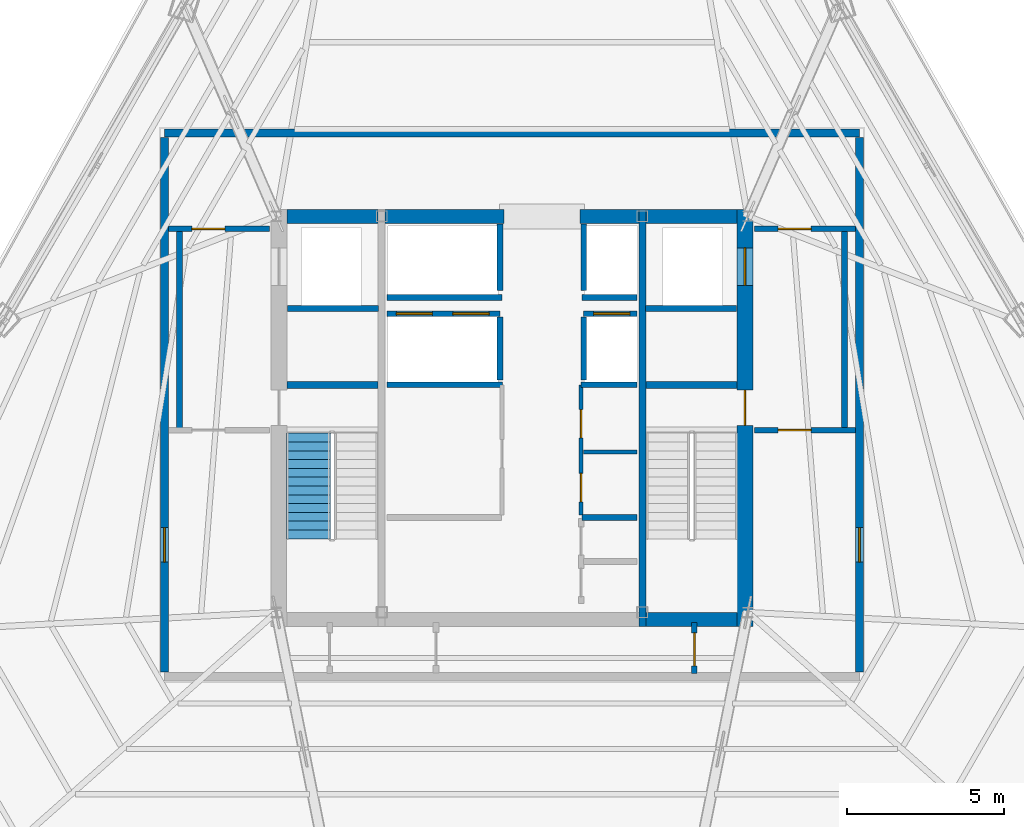
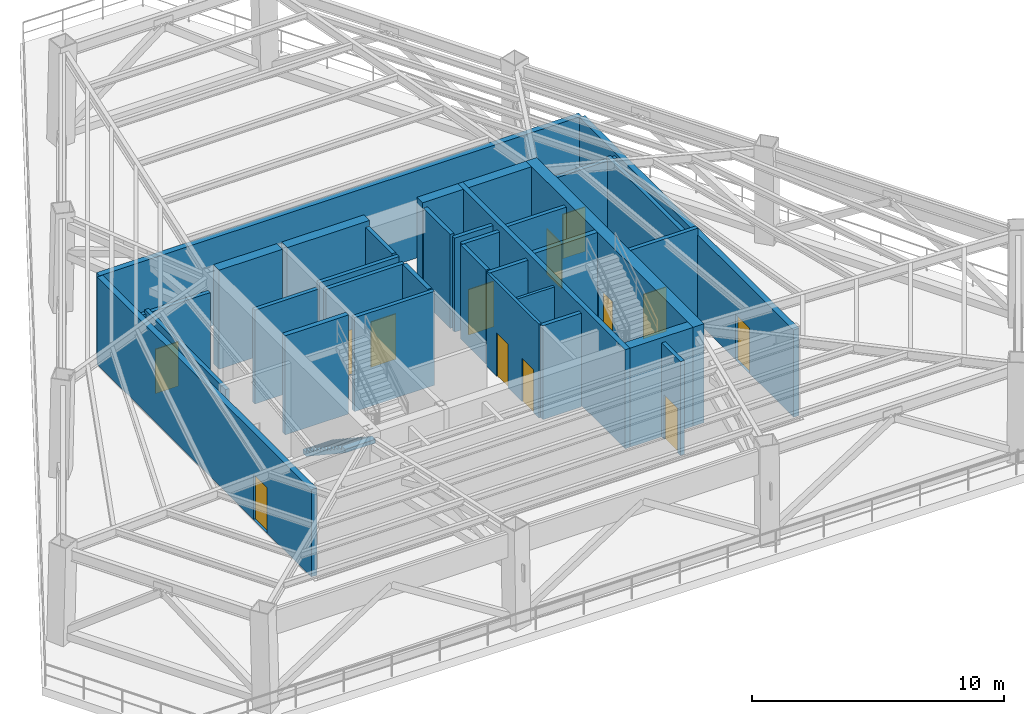
# One storey, part 6 of 10: 33 walls, 13 doors, 1 stair flight, 13 openings, 1 element without a shape of its own.
"""IFC4 building model written with IfcOpenShell, lengths in metres."""

from ifc_helpers import new_model, si_unit, direction, frame, frame_2d, origin, place, context, subcontext, project, spatial, polyline, rectangle, outline, extrude, material, layer, layer_set, type_object, element, fill, aggregate, save


model = new_model("IFC4")

# Units and contexts
model_context = context("Model", 3, precision=1e-05, world=origin(), true_north=direction((0.0, 1.0)))
body_context = subcontext(model_context, "Body", "Model", "MODEL_VIEW")
ifc_project = project(units=[si_unit("LENGTHUNIT", "METRE"), si_unit("AREAUNIT", "SQUARE_METRE"), si_unit("VOLUMEUNIT", "CUBIC_METRE"), si_unit("PLANEANGLEUNIT", "RADIAN"), si_unit("MASSUNIT", "GRAM", prefix="KILO")], contexts=[model_context])

# Site, building, storey
site_placement = place(None, origin())
site = spatial("IfcSite", under=ifc_project, at=site_placement, CompositionType="ELEMENT")
building_placement = place(site_placement, origin())
building = spatial("IfcBuilding", under=site, at=building_placement, Name="Caelisora Broadcast Tower", CompositionType="ELEMENT")
storey_placement = place(building_placement, frame((0.0, 0.0, 220.550048828125)))
storey = spatial("IfcBuildingStorey", under=building, at=storey_placement, Name="L58", CompositionType="ELEMENT", Elevation=220.550048828125)

# Wall, openings, doors
ifc_material_1 = material(Name="Concrete 50 MPa (AS 3600 S50)", Category="concrete")
ifc_layer_1 = layer(ifc_material_1, 0.5, Name="Concrete 50 MPa (AS 3600 S50)")
ifc_layer_set_1 = layer_set([ifc_layer_1], Name="Concrete 50 MPa (AS 3600 S50)")
wall_type_1 = type_object("IfcWallType", Name="CW2", PredefinedType="SHEAR", material=ifc_layer_set_1)
wall_1_placement = place(storey_placement, frame((45.409912109375, 16.949951171875, 0.0), z_axis=(0.0, 0.0, 1.0), x_axis=(0.0, 1.0, 0.0)))
wall_1 = element("IfcWall", 1, at=wall_1_placement, inside=storey, type_object=wall_type_1, Name="L58 core shear wall CW2", PredefinedType="SHEAR", context=body_context, shape_type="SweptSolid", body=[
    extrude(rectangle(XDim=13.275146484375, YDim=0.5, at=frame_2d((6.6376953125, 0.0))), origin(), (0.0, 0.0, 1.0), 4.800048828125),
])
opening_1_placement = place(wall_1_placement, frame((6.39990234375, 0.0, 0.0)))
opening_1 = element("IfcOpeningElement", 2, at=opening_1_placement, cuts=wall_1, Name="Opening FD04", PredefinedType="OPENING", context=body_context, shape_type="SweptSolid", body=[
    extrude(rectangle(XDim=1.1201171875, YDim=2.14990234375, at=frame_2d((0.56005859375, 1.074951171875))), frame((0.0, 0.261962890625, 0.0), z_axis=(0.0, -1.0, 0.0), x_axis=(1.0, 0.0, 0.0)), (0.0, 0.0, 1.0), 0.52392578125),
])
opening_2_placement = place(wall_1_placement, frame((10.85009765625, 0.0, 0.0)))
opening_2 = element("IfcOpeningElement", 3, at=opening_2_placement, cuts=wall_1, Name="Opening LD04", PredefinedType="OPENING", context=body_context, shape_type="SweptSolid", body=[
    extrude(rectangle(XDim=1.199951171875, YDim=2.199951171875, at=frame_2d((0.60009765625, 1.10009765625))), frame((0.0, 0.261962890625, 0.0), z_axis=(0.0, -1.0, 0.0), x_axis=(1.0, 0.0, 0.0)), (0.0, 0.0, 1.0), 0.52392578125),
])
ifc_material_2 = material(Name="Pressurised Fire-Isolated Stair Door", Category="steel")
door_type_1 = type_object("IfcDoorType", Name="FD04", OperationType="NOTDEFINED", PredefinedType="DOOR", material=ifc_material_2)
door_1_placement = place(opening_1_placement, origin())
door_1 = element("IfcDoor", 4, at=door_1_placement, inside=storey, type_object=door_type_1, Name="L58 door FD04 (L58-DR-ST2)", OperationType="SINGLE_SWING_RIGHT", OverallHeight=2.14990234375, OverallWidth=1.1201171875, PredefinedType="DOOR", context=body_context, shape_type="SweptSolid", body=[
    extrude(rectangle(XDim=1.1201171875, YDim=2.14990234375, at=frame_2d((0.56005859375, 1.074951171875))), frame((0.0, 0.02490234375, 0.0), z_axis=(0.0, -1.0, 0.0), x_axis=(1.0, 0.0, 0.0)), (0.0, 0.0, 1.0), 0.050048828125),
])
fill(opening_1, door_1)
ifc_material_3 = material(Name="Emergency Firefighting Lift Sliding Landing Door", Category="steel")
door_type_2 = type_object("IfcDoorType", Name="LD04", OperationType="NOTDEFINED", PredefinedType="DOOR", material=ifc_material_3)
door_2_placement = place(opening_2_placement, origin())
door_2 = element("IfcDoor", 5, at=door_2_placement, inside=storey, type_object=door_type_2, Name="L58 door LD04 (L58-LD-FFL2)", OperationType="SLIDING_TO_RIGHT", OverallHeight=2.199951171875, OverallWidth=1.199951171875, PredefinedType="DOOR", context=body_context, shape_type="SweptSolid", body=[
    extrude(rectangle(XDim=1.199951171875, YDim=2.199951171875, at=frame_2d((0.60009765625, 1.10009765625))), frame((0.0, 0.02490234375, 0.0), z_axis=(0.0, -1.0, 0.0), x_axis=(1.0, 0.0, 0.0)), (0.0, 0.0, 1.0), 0.050048828125),
])
fill(opening_2, door_2)

# Walls
ifc_layer_2 = layer(ifc_material_1, 0.449951171875, Name="Concrete 50 MPa (AS 3600 S50)")
ifc_layer_set_2 = layer_set([ifc_layer_2], Name="Concrete 50 MPa (AS 3600 S50)")
wall_type_2 = type_object("IfcWallType", Name="CW5", PredefinedType="SHEAR", material=ifc_layer_set_2)
for number, where, z_axis, x_axis, name in (
    (6, (42.260009765625, 17.175048828125, 0.0), (0.0, 0.0, 1.0), (1.0, 0.0, 0.0), "L58 core shear wall CW5"),
    (7, (30.840087890625, 30.0, 0.0), (0.0, 0.0, 1.0), (1.0, 0.0, 0.0), "L58 core shear wall CW5"),
):
    element("IfcWall", number, at=place(storey_placement, frame(where, z_axis=z_axis, x_axis=x_axis)), inside=storey, type_object=wall_type_2, Name=name, PredefinedType="SHEAR", context=body_context, shape_type="SweptSolid", body=[
        extrude(rectangle(XDim=2.89990234375, YDim=0.449951171875, at=frame_2d((1.449951171875, 0.0))), origin(), (0.0, 0.0, 1.0), 4.800048828125),
    ])
wall_2_placement = place(storey_placement, frame((33.9599609375, 30.0, 0.0), z_axis=(0.0, 0.0, 1.0), x_axis=(1.0, 0.0, 0.0)))
element("IfcWall", 8, at=wall_2_placement, inside=storey, type_object=wall_type_2, Name="L58 core shear wall CW5", PredefinedType="SHEAR", context=body_context, shape_type="SweptSolid", body=[
    extrude(rectangle(XDim=3.780029296875, YDim=0.449951171875, at=frame_2d((1.89013671875, 0.0))), origin(), (0.0, 0.0, 1.0), 4.800048828125),
])
wall_3_placement = place(storey_placement, frame((40.159912109375, 30.0, 0.0), z_axis=(0.0, 0.0, 1.0), x_axis=(1.0, 0.0, 0.0)))
element("IfcWall", 9, at=wall_3_placement, inside=storey, type_object=wall_type_2, Name="L58 core shear wall CW5", PredefinedType="SHEAR", context=body_context, shape_type="SweptSolid", body=[
    extrude(rectangle(XDim=1.880126953125, YDim=0.449951171875, at=frame_2d((0.93994140625, 0.0))), origin(), (0.0, 0.0, 1.0), 4.800048828125),
])
wall_4_placement = place(storey_placement, frame((42.260009765625, 30.0, 0.0), z_axis=(0.0, 0.0, 1.0), x_axis=(1.0, 0.0, 0.0)))
element("IfcWall", 10, at=wall_4_placement, inside=storey, type_object=wall_type_2, Name="L58 core shear wall CW5", PredefinedType="SHEAR", context=body_context, shape_type="SweptSolid", body=[
    extrude(rectangle(XDim=2.89990234375, YDim=0.449951171875, at=frame_2d((1.449951171875, 0.0))), origin(), (0.0, 0.0, 1.0), 4.800048828125),
])
ifc_layer_3 = layer(ifc_material_1, 0.219970703125, Name="Concrete 50 MPa (AS 3600 S50)")
ifc_layer_set_3 = layer_set([ifc_layer_3], Name="Concrete 50 MPa (AS 3600 S50)")
wall_type_3 = type_object("IfcWallType", Name="CW7", PredefinedType="SHEAR", material=ifc_layer_set_3)
wall_5_placement = place(storey_placement, frame((42.14990234375, 16.949951171875, 0.0), z_axis=(0.0, 0.0, 1.0), x_axis=(0.0, 1.0, 0.0)))
element("IfcWall", 11, at=wall_5_placement, inside=storey, type_object=wall_type_3, Name="L58 core shear wall CW7", PredefinedType="SHEAR", context=body_context, shape_type="SweptSolid", body=[
    extrude(rectangle(XDim=13.275146484375, YDim=0.219970703125, at=frame_2d((6.6376953125, 0.0))), origin(), (0.0, 0.0, 1.0), 4.800048828125),
])
for number, where, z_axis, x_axis, name in (
    (12, (30.840087890625, 24.639892578125, 0.0), (0.0, 0.0, 1.0), (1.0, 0.0, 0.0), "L58 core shear wall CW7"),
    (13, (42.260009765625, 24.639892578125, 0.0), (0.0, 0.0, 1.0), (1.0, 0.0, 0.0), "L58 core shear wall CW7"),
):
    element("IfcWall", number, at=place(storey_placement, frame(where, z_axis=z_axis, x_axis=x_axis)), inside=storey, type_object=wall_type_3, Name=name, PredefinedType="SHEAR", context=body_context, shape_type="SweptSolid", body=[
        extrude(rectangle(XDim=2.89990234375, YDim=0.219970703125, at=frame_2d((1.449951171875, 0.0))), origin(), (0.0, 0.0, 1.0), 4.800048828125),
    ])
ifc_material_4 = material(Name="Fire-Rated Acoustic Plant Enclosure Wall", Category="masonry")
ifc_layer_4 = layer(ifc_material_4, 0.260009765625, Name="Fire-Rated Acoustic Plant Enclosure Wall")
ifc_layer_set_4 = layer_set([ifc_layer_4], Name="Fire-Rated Acoustic Plant Enclosure Wall")
wall_type_4 = type_object("IfcWallType", Name="EW2", PredefinedType="STANDARD", material=ifc_layer_set_4)
wall_6_placement = place(storey_placement, frame((26.949951171875, 32.64990234375, 0.0), z_axis=(0.0, 0.0, 1.0), x_axis=(1.0, 0.0, 0.0)))
element("IfcWall", 14, at=wall_6_placement, inside=storey, type_object=wall_type_4, Name="L58 exterior envelope wall EW2", PredefinedType="STANDARD", context=body_context, shape_type="SweptSolid", body=[
    extrude(rectangle(XDim=22.10009765625, YDim=0.260009765625, at=frame_2d((11.050048828125, 0.0))), origin(), (0.0, 0.0, 1.0), 4.227783203125),
])

# Wall, opening, door
wall_7_placement = place(storey_placement, frame((26.949951171875, 15.5, 0.0), z_axis=(0.0, 0.0, 1.0), x_axis=(0.0, 1.0, 0.0)))
wall_7 = element("IfcWall", 15, at=wall_7_placement, inside=storey, type_object=wall_type_4, Name="L58 exterior envelope wall EW2", PredefinedType="STANDARD", context=body_context, shape_type="SweptSolid", body=[
    extrude(rectangle(XDim=17.0, YDim=0.260009765625, at=frame_2d((8.5, 0.0))), origin(), (0.0, 0.0, 1.0), 4.227783203125),
])
opening_3_placement = place(wall_7_placement, frame((3.5, 0.0, 0.0)))
opening_3 = element("IfcOpeningElement", 16, at=opening_3_placement, cuts=wall_7, Name="Opening D04", PredefinedType="OPENING", context=body_context, shape_type="SweptSolid", body=[
    extrude(rectangle(XDim=1.10009765625, YDim=2.199951171875, at=frame_2d((0.550048828125, 1.10009765625))), frame((0.0, 0.14208984375, 0.0), z_axis=(0.0, -1.0, 0.0), x_axis=(1.0, 0.0, 0.0)), (0.0, 0.0, 1.0), 0.283935546875),
])
ifc_material_5 = material(Name="Aluminium Framed Double-Glazed Terrace Door", Category="aluminium")
door_type_3 = type_object("IfcDoorType", Name="D04", OperationType="NOTDEFINED", PredefinedType="DOOR", material=ifc_material_5)
door_3_placement = place(opening_3_placement, origin())
door_3 = element("IfcDoor", 17, at=door_3_placement, inside=storey, type_object=door_type_3, Name="L58 door D04 (L58-DR-REF-W)", OperationType="SINGLE_SWING_LEFT", OverallHeight=2.199951171875, OverallWidth=1.10009765625, PredefinedType="DOOR", context=body_context, shape_type="SweptSolid", body=[
    extrude(rectangle(XDim=1.10009765625, YDim=2.199951171875, at=frame_2d((0.550048828125, 1.10009765625))), frame((0.0, 0.02490234375, 0.0), z_axis=(0.0, -1.0, 0.0), x_axis=(1.0, 0.0, 0.0)), (0.0, 0.0, 1.0), 0.050048828125),
])
fill(opening_3, door_3)

wall_8_placement = place(storey_placement, frame((49.050048828125, 15.5, 0.0), z_axis=(0.0, 0.0, 1.0), x_axis=(0.0, 1.0, 0.0)))
wall_8 = element("IfcWall", 18, at=wall_8_placement, inside=storey, type_object=wall_type_4, Name="L58 exterior envelope wall EW2", PredefinedType="STANDARD", context=body_context, shape_type="SweptSolid", body=[
    extrude(rectangle(XDim=17.0, YDim=0.260009765625, at=frame_2d((8.5, 0.0))), origin(), (0.0, 0.0, 1.0), 4.227783203125),
])
opening_4_placement = place(wall_8_placement, frame((3.5, 0.0, 0.0)))
opening_4 = element("IfcOpeningElement", 19, at=opening_4_placement, cuts=wall_8, Name="Opening D04", PredefinedType="OPENING", context=body_context, shape_type="SweptSolid", body=[
    extrude(rectangle(XDim=1.10009765625, YDim=2.199951171875, at=frame_2d((0.550048828125, 1.10009765625))), frame((0.0, 0.14208984375, 0.0), z_axis=(0.0, -1.0, 0.0), x_axis=(1.0, 0.0, 0.0)), (0.0, 0.0, 1.0), 0.283935546875),
])
door_4_placement = place(opening_4_placement, origin())
door_4 = element("IfcDoor", 20, at=door_4_placement, inside=storey, type_object=door_type_3, Name="L58 door D04 (L58-DR-REF-E)", OperationType="SINGLE_SWING_RIGHT", OverallHeight=2.199951171875, OverallWidth=1.10009765625, PredefinedType="DOOR", context=body_context, shape_type="SweptSolid", body=[
    extrude(rectangle(XDim=1.10009765625, YDim=2.199951171875, at=frame_2d((0.550048828125, 1.10009765625))), frame((0.0, 0.02490234375, 0.0), z_axis=(0.0, -1.0, 0.0), x_axis=(1.0, 0.0, 0.0)), (0.0, 0.0, 1.0), 0.050048828125),
])
fill(opening_4, door_4)

# Wall, openings, doors
ifc_material_6 = material(Name="Fire-Rated Gypsum Shaft and Compartment Wall", Category="gypsum")
ifc_layer_5 = layer(ifc_material_6, 0.179931640625, Name="Fire-Rated Gypsum Shaft and Compartment Wall")
ifc_layer_set_5 = layer_set([ifc_layer_5], Name="Fire-Rated Gypsum Shaft and Compartment Wall")
wall_type_5 = type_object("IfcWallType", Name="PW2", PredefinedType="PARTITIONING", material=ifc_layer_set_5)
wall_9_placement = place(storey_placement, frame((34.02001953125, 26.89990234375, 0.0), z_axis=(0.0, 0.0, 1.0), x_axis=(1.0, 0.0, 0.0)))
wall_9 = element("IfcWall", 21, at=wall_9_placement, inside=storey, type_object=wall_type_5, Name="L58 fire compartment wall PW2", PredefinedType="PARTITIONING", context=body_context, shape_type="SweptSolid", body=[
    extrude(rectangle(XDim=3.60009765625, YDim=0.179931640625, at=frame_2d((1.800048828125, 0.0))), origin(), (0.0, 0.0, 1.0), 4.550048828125),
])
opening_5_placement = place(wall_9_placement, frame((0.300048828125, 0.0, 0.0)))
opening_5 = element("IfcOpeningElement", 22, at=opening_5_placement, cuts=wall_9, Name="Opening LD02", PredefinedType="OPENING", context=body_context, shape_type="SweptSolid", body=[
    extrude(rectangle(XDim=1.14990234375, YDim=2.199951171875, at=frame_2d((0.574951171875, 1.10009765625))), frame((0.0, 0.10205078125, 0.0), z_axis=(0.0, -1.0, 0.0), x_axis=(1.0, 0.0, 0.0)), (0.0, 0.0, 1.0), 0.203857421875),
])
opening_6_placement = place(wall_9_placement, frame((2.10009765625, 0.0, 0.0)))
opening_6 = element("IfcOpeningElement", 23, at=opening_6_placement, cuts=wall_9, Name="Opening LD02", PredefinedType="OPENING", context=body_context, shape_type="SweptSolid", body=[
    extrude(rectangle(XDim=1.14990234375, YDim=2.199951171875, at=frame_2d((0.574951171875, 1.10009765625))), frame((0.0, 0.10205078125, 0.0), z_axis=(0.0, -1.0, 0.0), x_axis=(1.0, 0.0, 0.0)), (0.0, 0.0, 1.0), 0.203857421875),
])
ifc_material_7 = material(Name="High-Speed Express Lift Sliding Landing Door", Category="steel")
door_type_4 = type_object("IfcDoorType", Name="LD02", OperationType="NOTDEFINED", PredefinedType="DOOR", material=ifc_material_7)
door_5_placement = place(opening_5_placement, origin())
door_5 = element("IfcDoor", 24, at=door_5_placement, inside=storey, type_object=door_type_4, Name="L58 door LD02 (L58-LD-PLM1)", OperationType="SLIDING_TO_LEFT", OverallHeight=2.199951171875, OverallWidth=1.14990234375, PredefinedType="DOOR", context=body_context, shape_type="SweptSolid", body=[
    extrude(rectangle(XDim=1.14990234375, YDim=2.199951171875, at=frame_2d((0.574951171875, 1.10009765625))), frame((0.0, 0.02490234375, 0.0), z_axis=(0.0, -1.0, 0.0), x_axis=(1.0, 0.0, 0.0)), (0.0, 0.0, 1.0), 0.050048828125),
])
fill(opening_5, door_5)
door_6_placement = place(opening_6_placement, origin())
door_6 = element("IfcDoor", 25, at=door_6_placement, inside=storey, type_object=door_type_4, Name="L58 door LD02 (L58-LD-PLM2)", OperationType="SLIDING_TO_RIGHT", OverallHeight=2.199951171875, OverallWidth=1.14990234375, PredefinedType="DOOR", context=body_context, shape_type="SweptSolid", body=[
    extrude(rectangle(XDim=1.14990234375, YDim=2.199951171875, at=frame_2d((0.574951171875, 1.10009765625))), frame((0.0, 0.02490234375, 0.0), z_axis=(0.0, -1.0, 0.0), x_axis=(1.0, 0.0, 0.0)), (0.0, 0.0, 1.0), 0.050048828125),
])
fill(opening_6, door_6)

# Wall, opening, door
wall_10_placement = place(storey_placement, frame((40.280029296875, 26.89990234375, 0.0), z_axis=(0.0, 0.0, 1.0), x_axis=(1.0, 0.0, 0.0)))
wall_10 = element("IfcWall", 26, at=wall_10_placement, inside=storey, type_object=wall_type_5, Name="L58 fire compartment wall PW2", PredefinedType="PARTITIONING", context=body_context, shape_type="SweptSolid", body=[
    extrude(rectangle(XDim=1.699951171875, YDim=0.179931640625, at=frame_2d((0.85009765625, 0.0))), origin(), (0.0, 0.0, 1.0), 4.550048828125),
])
opening_7_placement = place(wall_10_placement, frame((0.320068359375, 0.0, 0.0)))
opening_7 = element("IfcOpeningElement", 27, at=opening_7_placement, cuts=wall_10, Name="Opening LD02", PredefinedType="OPENING", context=body_context, shape_type="SweptSolid", body=[
    extrude(rectangle(XDim=1.14990234375, YDim=2.199951171875, at=frame_2d((0.574951171875, 1.10009765625))), frame((0.0, 0.10205078125, 0.0), z_axis=(0.0, -1.0, 0.0), x_axis=(1.0, 0.0, 0.0)), (0.0, 0.0, 1.0), 0.203857421875),
])
door_7_placement = place(opening_7_placement, origin())
door_7 = element("IfcDoor", 28, at=door_7_placement, inside=storey, type_object=door_type_4, Name="L58 door LD02 (L58-LD-PLM3)", OperationType="SLIDING_TO_LEFT", OverallHeight=2.199951171875, OverallWidth=1.14990234375, PredefinedType="DOOR", context=body_context, shape_type="SweptSolid", body=[
    extrude(rectangle(XDim=1.14990234375, YDim=2.199951171875, at=frame_2d((0.574951171875, 1.10009765625))), frame((0.0, 0.02490234375, 0.0), z_axis=(0.0, -1.0, 0.0), x_axis=(1.0, 0.0, 0.0)), (0.0, 0.0, 1.0), 0.050048828125),
])
fill(opening_7, door_7)

# Walls
for number, where, z_axis, x_axis, name in (
    (29, (37.6201171875, 24.800048828125, 0.0), (0.0, 0.0, 1.0), (0.0, 1.0, 0.0), "L58 fire compartment wall PW2"),
    (30, (40.280029296875, 24.800048828125, 0.0), (0.0, 0.0, 1.0), (0.0, 1.0, 0.0), "L58 fire compartment wall PW2"),
):
    element("IfcWall", number, at=place(storey_placement, frame(where, z_axis=z_axis, x_axis=x_axis)), inside=storey, type_object=wall_type_5, Name=name, PredefinedType="PARTITIONING", context=body_context, shape_type="SweptSolid", body=[
        extrude(rectangle(XDim=2.0, YDim=0.179931640625, at=frame_2d((1.0, 0.0))), origin(), (0.0, 0.0, 1.0), 4.550048828125),
    ])
wall_11_placement = place(storey_placement, frame((34.02001953125, 24.639892578125, 0.0), z_axis=(0.0, 0.0, 1.0), x_axis=(1.0, 0.0, 0.0)))
element("IfcWall", 31, at=wall_11_placement, inside=storey, type_object=wall_type_5, Name="L58 fire compartment wall PW2", PredefinedType="PARTITIONING", context=body_context, shape_type="SweptSolid", body=[
    extrude(rectangle(XDim=3.679931640625, YDim=0.179931640625, at=frame_2d((1.83984375, 0.0))), origin(), (0.0, 0.0, 1.0), 4.550048828125),
])
wall_12_placement = place(storey_placement, frame((40.199951171875, 24.639892578125, 0.0), z_axis=(0.0, 0.0, 1.0), x_axis=(1.0, 0.0, 0.0)))
element("IfcWall", 32, at=wall_12_placement, inside=storey, type_object=wall_type_5, Name="L58 fire compartment wall PW2", PredefinedType="PARTITIONING", context=body_context, shape_type="SweptSolid", body=[
    extrude(rectangle(XDim=1.780029296875, YDim=0.179931640625, at=frame_2d((0.89013671875, 0.0))), origin(), (0.0, 0.0, 1.0), 4.550048828125),
])
wall_13_placement = place(storey_placement, frame((34.02001953125, 27.419921875, 0.0), z_axis=(0.0, 0.0, 1.0), x_axis=(1.0, 0.0, 0.0)))
element("IfcWall", 33, at=wall_13_placement, inside=storey, type_object=wall_type_5, Name="L58 fire compartment wall PW2", PredefinedType="PARTITIONING", context=body_context, shape_type="SweptSolid", body=[
    extrude(rectangle(XDim=3.659912109375, YDim=0.179931640625, at=frame_2d((1.830078125, 0.0))), origin(), (0.0, 0.0, 1.0), 4.550048828125),
])
wall_14_placement = place(storey_placement, frame((40.219970703125, 27.419921875, 0.0), z_axis=(0.0, 0.0, 1.0), x_axis=(1.0, 0.0, 0.0)))
element("IfcWall", 34, at=wall_14_placement, inside=storey, type_object=wall_type_5, Name="L58 fire compartment wall PW2", PredefinedType="PARTITIONING", context=body_context, shape_type="SweptSolid", body=[
    extrude(rectangle(XDim=1.760009765625, YDim=0.179931640625, at=frame_2d((0.8798828125, 0.0))), origin(), (0.0, 0.0, 1.0), 4.550048828125),
])
for number, where, z_axis, x_axis, name in (
    (35, (37.6201171875, 27.639892578125, 0.0), (0.0, 0.0, 1.0), (0.0, 1.0, 0.0), "L58 fire compartment wall PW2"),
    (36, (40.280029296875, 27.639892578125, 0.0), (0.0, 0.0, 1.0), (0.0, 1.0, 0.0), "L58 fire compartment wall PW2"),
):
    element("IfcWall", number, at=place(storey_placement, frame(where, z_axis=z_axis, x_axis=x_axis)), inside=storey, type_object=wall_type_5, Name=name, PredefinedType="PARTITIONING", context=body_context, shape_type="SweptSolid", body=[
        extrude(rectangle(XDim=2.110107421875, YDim=0.179931640625, at=frame_2d((1.05517578125, 0.0))), origin(), (0.0, 0.0, 1.0), 4.550048828125),
    ])
wall_15_placement = place(storey_placement, frame((27.419921875, 23.199951171875, 0.0), z_axis=(0.0, 0.0, 1.0), x_axis=(0.0, 1.0, 0.0)))
element("IfcWall", 37, at=wall_15_placement, inside=storey, type_object=wall_type_5, Name="L58 fire compartment wall PW2", PredefinedType="PARTITIONING", context=body_context, shape_type="SweptSolid", body=[
    extrude(rectangle(XDim=6.400146484375, YDim=0.179931640625, at=frame_2d((3.2001953125, 0.0))), origin(), (0.0, 0.0, 1.0), 4.227783203125),
])

# Wall, opening, door
wall_16_placement = place(storey_placement, frame((27.06494140625, 29.60009765625, 0.0), z_axis=(0.0, 0.0, 1.0), x_axis=(1.0, 0.0, 0.0)))
wall_16 = element("IfcWall", 38, at=wall_16_placement, inside=storey, type_object=wall_type_5, Name="L58 fire compartment wall PW2", PredefinedType="PARTITIONING", context=body_context, shape_type="SweptSolid", body=[
    extrude(rectangle(XDim=3.215087890625, YDim=0.179931640625, at=frame_2d((1.607421875, 0.0))), origin(), (0.0, 0.0, 1.0), 4.074462890625),
])
opening_8_placement = place(wall_16_placement, frame((0.75, 0.0, 0.0)))
opening_8 = element("IfcOpeningElement", 39, at=opening_8_placement, cuts=wall_16, Name="Opening FD02", PredefinedType="OPENING", context=body_context, shape_type="SweptSolid", body=[
    extrude(rectangle(XDim=1.050048828125, YDim=2.14990234375, at=frame_2d((0.52490234375, 1.074951171875))), frame((0.0, 0.10205078125, 0.0), z_axis=(0.0, -1.0, 0.0), x_axis=(1.0, 0.0, 0.0)), (0.0, 0.0, 1.0), 0.203857421875),
])
ifc_material_8 = material(Name="Single-Leaf Steel Fire Lobby Door", Category="steel")
door_type_5 = type_object("IfcDoorType", Name="FD02", OperationType="NOTDEFINED", PredefinedType="DOOR", material=ifc_material_8)
door_8_placement = place(opening_8_placement, origin())
door_8 = element("IfcDoor", 40, at=door_8_placement, inside=storey, type_object=door_type_5, Name="L58 door FD02 (L58-DR-P03D1)", OperationType="SINGLE_SWING_RIGHT", OverallHeight=2.14990234375, OverallWidth=1.050048828125, PredefinedType="DOOR", context=body_context, shape_type="SweptSolid", body=[
    extrude(rectangle(XDim=1.050048828125, YDim=2.14990234375, at=frame_2d((0.52490234375, 1.074951171875))), frame((0.0, 0.02490234375, 0.0), z_axis=(0.0, -1.0, 0.0), x_axis=(1.0, 0.0, 0.0)), (0.0, 0.0, 1.0), 0.050048828125),
])
fill(opening_8, door_8)

# Wall
wall_17_placement = place(storey_placement, frame((48.580078125, 23.199951171875, 0.0), z_axis=(0.0, 0.0, 1.0), x_axis=(0.0, 1.0, 0.0)))
element("IfcWall", 41, at=wall_17_placement, inside=storey, type_object=wall_type_5, Name="L58 fire compartment wall PW2", PredefinedType="PARTITIONING", context=body_context, shape_type="SweptSolid", body=[
    extrude(rectangle(XDim=6.400146484375, YDim=0.179931640625, at=frame_2d((3.2001953125, 0.0))), origin(), (0.0, 0.0, 1.0), 4.227783203125),
])

# Wall, opening, door
wall_18_placement = place(storey_placement, frame((45.719970703125, 23.199951171875, 0.0), z_axis=(0.0, 0.0, 1.0), x_axis=(1.0, 0.0, 0.0)))
wall_18 = element("IfcWall", 42, at=wall_18_placement, inside=storey, type_object=wall_type_5, Name="L58 fire compartment wall PW2", PredefinedType="PARTITIONING", context=body_context, shape_type="SweptSolid", body=[
    extrude(rectangle(XDim=3.215087890625, YDim=0.179931640625, at=frame_2d((1.607421875, 0.0))), origin(), (0.0, 0.0, 1.0), 4.550048828125),
])
opening_9_placement = place(wall_18_placement, frame((0.75, 0.0, 0.0)))
opening_9 = element("IfcOpeningElement", 43, at=opening_9_placement, cuts=wall_18, Name="Opening FD02", PredefinedType="OPENING", context=body_context, shape_type="SweptSolid", body=[
    extrude(rectangle(XDim=1.050048828125, YDim=2.14990234375, at=frame_2d((0.52490234375, 1.074951171875))), frame((0.0, 0.10205078125, 0.0), z_axis=(0.0, -1.0, 0.0), x_axis=(1.0, 0.0, 0.0)), (0.0, 0.0, 1.0), 0.203857421875),
])
door_9_placement = place(opening_9_placement, origin())
door_9 = element("IfcDoor", 44, at=door_9_placement, inside=storey, type_object=door_type_5, Name="L58 door FD02 (L58-DR-P05D1)", OperationType="SINGLE_SWING_LEFT", OverallHeight=2.14990234375, OverallWidth=1.050048828125, PredefinedType="DOOR", context=body_context, shape_type="SweptSolid", body=[
    extrude(rectangle(XDim=1.050048828125, YDim=2.14990234375, at=frame_2d((0.52490234375, 1.074951171875))), frame((0.0, 0.02490234375, 0.0), z_axis=(0.0, -1.0, 0.0), x_axis=(1.0, 0.0, 0.0)), (0.0, 0.0, 1.0), 0.050048828125),
])
fill(opening_9, door_9)

wall_19_placement = place(storey_placement, frame((45.719970703125, 29.60009765625, 0.0), z_axis=(0.0, 0.0, 1.0), x_axis=(1.0, 0.0, 0.0)))
wall_19 = element("IfcWall", 45, at=wall_19_placement, inside=storey, type_object=wall_type_5, Name="L58 fire compartment wall PW2", PredefinedType="PARTITIONING", context=body_context, shape_type="SweptSolid", body=[
    extrude(rectangle(XDim=3.215087890625, YDim=0.179931640625, at=frame_2d((1.607421875, 0.0))), origin(), (0.0, 0.0, 1.0), 4.074462890625),
])
opening_10_placement = place(wall_19_placement, frame((0.75, 0.0, 0.0)))
opening_10 = element("IfcOpeningElement", 46, at=opening_10_placement, cuts=wall_19, Name="Opening FD02", PredefinedType="OPENING", context=body_context, shape_type="SweptSolid", body=[
    extrude(rectangle(XDim=1.050048828125, YDim=2.14990234375, at=frame_2d((0.52490234375, 1.074951171875))), frame((0.0, 0.10205078125, 0.0), z_axis=(0.0, -1.0, 0.0), x_axis=(1.0, 0.0, 0.0)), (0.0, 0.0, 1.0), 0.203857421875),
])
door_10_placement = place(opening_10_placement, origin())
door_10 = element("IfcDoor", 47, at=door_10_placement, inside=storey, type_object=door_type_5, Name="L58 door FD02 (L58-DR-P06D1)", OperationType="SINGLE_SWING_RIGHT", OverallHeight=2.14990234375, OverallWidth=1.050048828125, PredefinedType="DOOR", context=body_context, shape_type="SweptSolid", body=[
    extrude(rectangle(XDim=1.050048828125, YDim=2.14990234375, at=frame_2d((0.52490234375, 1.074951171875))), frame((0.0, 0.02490234375, 0.0), z_axis=(0.0, -1.0, 0.0), x_axis=(1.0, 0.0, 0.0)), (0.0, 0.0, 1.0), 0.050048828125),
])
fill(opening_10, door_10)

# Walls
for number, where, z_axis, x_axis, name in (
    (48, (30.860107421875, 27.070068359375, 0.0), (0.0, 0.0, 1.0), (1.0, 0.0, 0.0), "L58 fire compartment wall PW2"),
    (49, (42.239990234375, 27.070068359375, 0.0), (0.0, 0.0, 1.0), (1.0, 0.0, 0.0), "L58 fire compartment wall PW2"),
):
    element("IfcWall", number, at=place(storey_placement, frame(where, z_axis=z_axis, x_axis=x_axis)), inside=storey, type_object=wall_type_5, Name=name, PredefinedType="PARTITIONING", context=body_context, shape_type="SweptSolid", body=[
        extrude(rectangle(XDim=2.89990234375, YDim=0.179931640625, at=frame_2d((1.449951171875, 0.0))), origin(), (0.0, 0.0, 1.0), 4.550048828125),
    ])
wall_20_placement = place(storey_placement, frame((40.219970703125, 20.419921875, 0.0), z_axis=(0.0, 0.0, 1.0), x_axis=(1.0, 0.0, 0.0)))
element("IfcWall", 50, at=wall_20_placement, inside=storey, type_object=wall_type_5, Name="L58 fire compartment wall PW2", PredefinedType="PARTITIONING", context=body_context, shape_type="SweptSolid", body=[
    extrude(rectangle(XDim=1.760009765625, YDim=0.179931640625, at=frame_2d((0.8798828125, 0.0))), origin(), (0.0, 0.0, 1.0), 4.550048828125),
])

# Wall, opening, door
wall_21_placement = place(storey_placement, frame((43.800048828125, 15.449951171875, 0.0), z_axis=(0.0, 0.0, 1.0), x_axis=(0.0, 1.0, 0.0)))
wall_21 = element("IfcWall", 51, at=wall_21_placement, inside=storey, type_object=wall_type_5, Name="L58 fire compartment wall PW2", PredefinedType="PARTITIONING", context=body_context, shape_type="SweptSolid", body=[
    extrude(rectangle(XDim=1.630126953125, YDim=0.179931640625, at=frame_2d((0.81494140625, 0.0))), origin(), (0.0, 0.0, 1.0), 4.550048828125),
])
opening_11_placement = place(wall_21_placement, frame((0.25, 0.0, 0.0)))
opening_11 = element("IfcOpeningElement", 52, at=opening_11_placement, cuts=wall_21, Name="Opening FD02", PredefinedType="OPENING", context=body_context, shape_type="SweptSolid", body=[
    extrude(rectangle(XDim=1.050048828125, YDim=2.14990234375, at=frame_2d((0.52490234375, 1.074951171875))), frame((0.0, 0.10205078125, 0.0), z_axis=(0.0, -1.0, 0.0), x_axis=(1.0, 0.0, 0.0)), (0.0, 0.0, 1.0), 0.203857421875),
])
door_11_placement = place(opening_11_placement, origin())
door_11 = element("IfcDoor", 53, at=door_11_placement, inside=storey, type_object=door_type_5, Name="L58 door FD02 (L58-DR-P17D1)", OperationType="SINGLE_SWING_LEFT", OverallHeight=2.14990234375, OverallWidth=1.050048828125, PredefinedType="DOOR", context=body_context, shape_type="SweptSolid", body=[
    extrude(rectangle(XDim=1.050048828125, YDim=2.14990234375, at=frame_2d((0.52490234375, 1.074951171875))), frame((0.0, 0.02490234375, 0.0), z_axis=(0.0, -1.0, 0.0), x_axis=(1.0, 0.0, 0.0)), (0.0, 0.0, 1.0), 0.050048828125),
])
fill(opening_11, door_11)

# Wall
ifc_material_9 = material(Name="Acoustic Steel-Stud Plasterboard Partition", Category="gypsum")
ifc_layer_6 = layer(ifc_material_9, 0.1298828125, Name="Acoustic Steel-Stud Plasterboard Partition")
ifc_layer_set_6 = layer_set([ifc_layer_6], Name="Acoustic Steel-Stud Plasterboard Partition")
wall_type_6 = type_object("IfcWallType", Name="PW3", PredefinedType="PARTITIONING", material=ifc_layer_set_6)
wall_22_placement = place(storey_placement, frame((40.280029296875, 22.5, 0.0), z_axis=(0.0, 0.0, 1.0), x_axis=(1.0, 0.0, 0.0)))
element("IfcWall", 54, at=wall_22_placement, inside=storey, type_object=wall_type_6, Name="L58 internal partition PW3", PredefinedType="PARTITIONING", context=body_context, shape_type="SweptSolid", body=[
    extrude(rectangle(XDim=1.699951171875, YDim=0.1298828125, at=frame_2d((0.85009765625, 0.0))), origin(), (0.0, 0.0, 1.0), 4.550048828125),
])

# Wall, openings, doors
wall_23_placement = place(storey_placement, frame((40.199951171875, 20.5, 0.0), z_axis=(0.0, 0.0, 1.0), x_axis=(0.0, 1.0, 0.0)))
wall_23 = element("IfcWall", 55, at=wall_23_placement, inside=storey, type_object=wall_type_6, Name="L58 internal partition PW3", PredefinedType="PARTITIONING", context=body_context, shape_type="SweptSolid", body=[
    extrude(rectangle(XDim=4.139892578125, YDim=0.1298828125, at=frame_2d((2.06982421875, 0.0))), origin(), (0.0, 0.0, 1.0), 4.550048828125),
])
opening_12_placement = place(wall_23_placement, frame((0.419921875, 0.0, 0.0)))
opening_12 = element("IfcOpeningElement", 56, at=opening_12_placement, cuts=wall_23, Name="Opening FD03", PredefinedType="OPENING", context=body_context, shape_type="SweptSolid", body=[
    extrude(rectangle(XDim=0.89990234375, YDim=2.10009765625, at=frame_2d((0.449951171875, 1.050048828125))), frame((0.0, 0.076904296875, 0.0), z_axis=(0.0, -1.0, 0.0), x_axis=(1.0, 0.0, 0.0)), (0.0, 0.0, 1.0), 0.15380859375),
])
opening_13_placement = place(wall_23_placement, frame((2.449951171875, 0.0, 0.0)))
opening_13 = element("IfcOpeningElement", 57, at=opening_13_placement, cuts=wall_23, Name="Opening FD03", PredefinedType="OPENING", context=body_context, shape_type="SweptSolid", body=[
    extrude(rectangle(XDim=0.89990234375, YDim=2.10009765625, at=frame_2d((0.449951171875, 1.050048828125))), frame((0.0, 0.076904296875, 0.0), z_axis=(0.0, -1.0, 0.0), x_axis=(1.0, 0.0, 0.0)), (0.0, 0.0, 1.0), 0.15380859375),
])
ifc_material_10 = material(Name="Single-Leaf Steel Riser Fire Access Door", Category="steel")
door_type_6 = type_object("IfcDoorType", Name="FD03", OperationType="NOTDEFINED", PredefinedType="DOOR", material=ifc_material_10)
door_12_placement = place(opening_12_placement, origin())
door_12 = element("IfcDoor", 58, at=door_12_placement, inside=storey, type_object=door_type_6, Name="L58 door FD03 (L58-DR-P13D1)", OperationType="SINGLE_SWING_RIGHT", OverallHeight=2.10009765625, OverallWidth=0.89990234375, PredefinedType="DOOR", context=body_context, shape_type="SweptSolid", body=[
    extrude(rectangle(XDim=0.89990234375, YDim=2.10009765625, at=frame_2d((0.449951171875, 1.050048828125))), frame((0.0, 0.02490234375, 0.0), z_axis=(0.0, -1.0, 0.0), x_axis=(1.0, 0.0, 0.0)), (0.0, 0.0, 1.0), 0.050048828125),
])
fill(opening_12, door_12)
door_13_placement = place(opening_13_placement, origin())
door_13 = element("IfcDoor", 59, at=door_13_placement, inside=storey, type_object=door_type_6, Name="L58 door FD03 (L58-DR-P13D2)", OperationType="SINGLE_SWING_LEFT", OverallHeight=2.10009765625, OverallWidth=0.89990234375, PredefinedType="DOOR", context=body_context, shape_type="SweptSolid", body=[
    extrude(rectangle(XDim=0.89990234375, YDim=2.10009765625, at=frame_2d((0.449951171875, 1.050048828125))), frame((0.0, 0.02490234375, 0.0), z_axis=(0.0, -1.0, 0.0), x_axis=(1.0, 0.0, 0.0)), (0.0, 0.0, 1.0), 0.050048828125),
])
fill(opening_13, door_13)

# Stair, stair flight
ifc_material_11 = material(Name="Concrete 40 MPa (AS 3600 N40)", Category="concrete")
stair_type = type_object("IfcStairType", Name="ST-1", PredefinedType="HALF_TURN_STAIR", material=ifc_material_11)
stair_placement = place(storey_placement, origin())
stair = element("IfcStair", 60, at=stair_placement, inside=storey, type_object=stair_type, Name="L58 West Fire-Isolated Tower Stair", PredefinedType="HALF_TURN_STAIR")
stair_flight_type = type_object("IfcStairFlightType", Name="STF-3", PredefinedType="STRAIGHT", material=ifc_material_11)
stair_flight_placement = place(storey_placement, frame((31.52001953125, 23.10009765625, 0.0), z_axis=(0.0, 0.0, 1.0), x_axis=(0.0, -1.0, 0.0)))
stair_flight = element("IfcStairFlight", 61, at=stair_flight_placement, type_object=stair_flight_type, Name="ST-1 flight 1", NumberOfRisers=13, NumberOfTreads=12, PredefinedType="STRAIGHT", RiserHeight=0.184615385, TreadLength=0.28, context=body_context, shape_type="SweptSolid", body=[
    extrude(outline(polyline([(0.0, 0.0), (0.0, 0.1845703125), (0.280029296875, 0.1845703125), (0.280029296875, 0.369140625), (0.56005859375, 0.369140625), (0.56005859375, 0.553955078125), (0.840087890625, 0.553955078125), (0.840087890625, 0.738525390625), (1.1201171875, 0.738525390625), (1.1201171875, 0.923095703125), (1.39990234375, 0.923095703125), (1.39990234375, 1.107666015625), (1.679931640625, 1.107666015625), (1.679931640625, 1.292236328125), (1.9599609375, 1.292236328125), (1.9599609375, 1.476806640625), (2.239990234375, 1.476806640625), (2.239990234375, 1.66162109375), (2.52001953125, 1.66162109375), (2.52001953125, 1.84619140625), (2.800048828125, 1.84619140625), (2.800048828125, 2.03076171875), (3.080078125, 2.03076171875), (3.080078125, 2.21533203125), (3.360107421875, 2.21533203125), (3.360107421875, 2.39990234375), (3.360107421875, 2.035888671875), (0.272216796875, 0.0), (0.0, 0.0)])), frame((0.0, 0.699951171875, 0.0), z_axis=(0.0, -1.0, 0.0), x_axis=(1.0, 0.0, 0.0)), (0.0, 0.0, 1.0), 1.39990234375),
])
aggregate(stair, [stair_flight])

save(model, "model.ifc")
